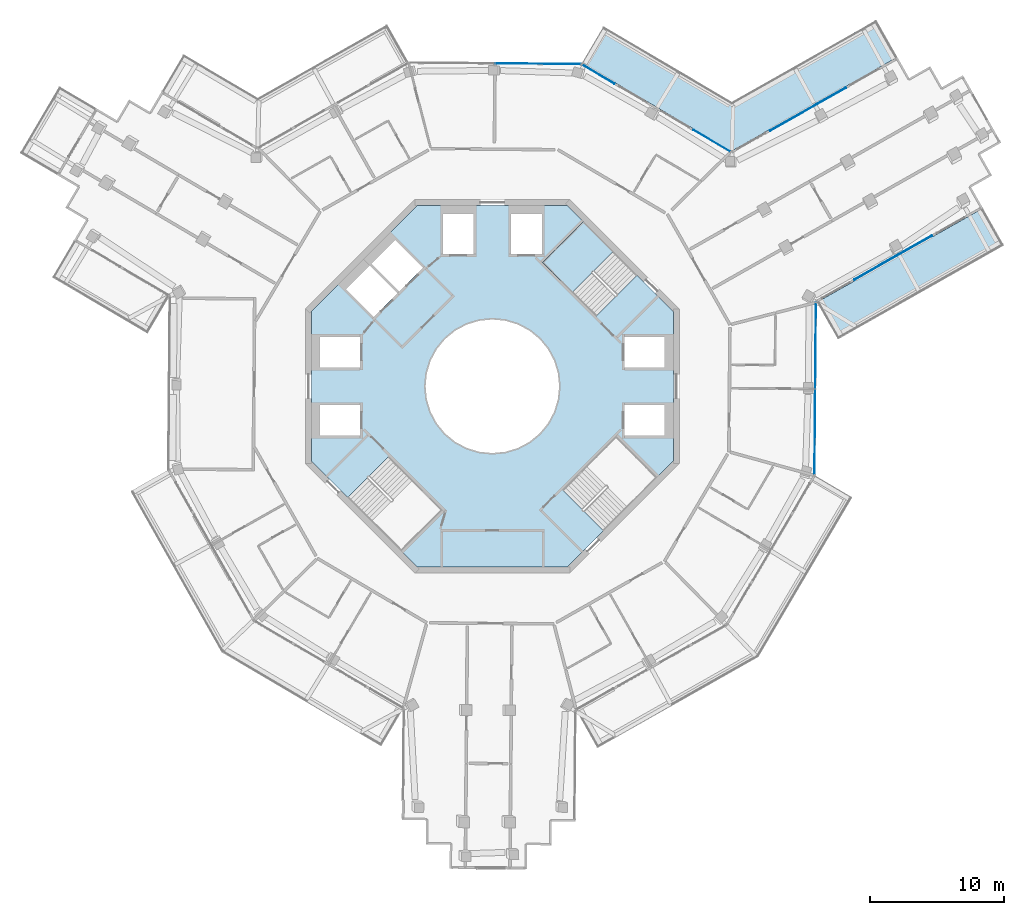
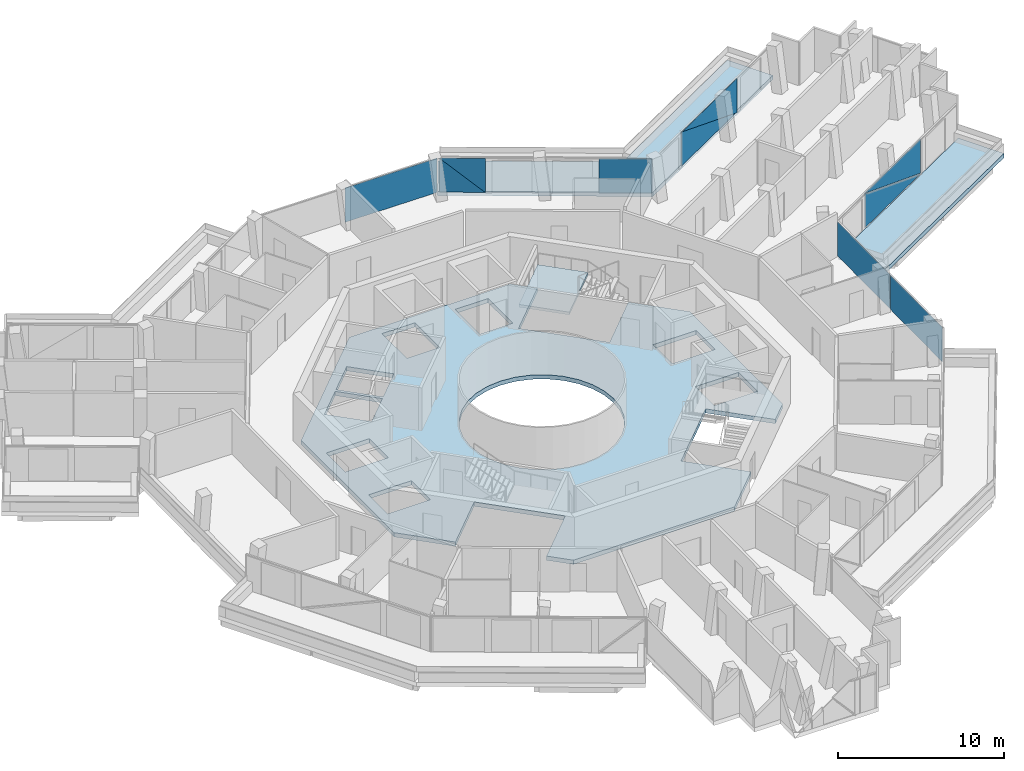
# One storey, part 14 of 24: 10 plates, 4 slabs, 6 elements without a shape of their own.
"""IFC4 building model written with IfcOpenShell, lengths in metres."""

from ifc_helpers import new_model, si_unit, direction, frame, origin, origin_2d, place, context, subcontext, project, spatial, polyline, rectangle, outline, extrude, material, layer, layer_set, type_object, element, aggregate, save


model = new_model("IFC4")

# Units and contexts
model_context = context("Model", 3, precision=1e-05, world=origin(), true_north=direction((0.0, 1.0)))
body_context = subcontext(model_context, "Body", "Model", "MODEL_VIEW")
ifc_project = project(units=[si_unit("LENGTHUNIT", "METRE"), si_unit("AREAUNIT", "SQUARE_METRE"), si_unit("VOLUMEUNIT", "CUBIC_METRE"), si_unit("PLANEANGLEUNIT", "RADIAN"), si_unit("MASSUNIT", "GRAM", prefix="KILO")], contexts=[model_context])

# Site, building, storey
site_placement = place(None, origin())
site = spatial("IfcSite", under=ifc_project, at=site_placement, CompositionType="ELEMENT")
building_placement = place(site_placement, origin())
building = spatial("IfcBuilding", under=site, at=building_placement, Name="Verdalira Terraces Hotel", CompositionType="ELEMENT")
storey_placement = place(building_placement, frame((0.0, 0.0, 277.5)))
storey = spatial("IfcBuildingStorey", under=building, at=storey_placement, Name="L68", CompositionType="ELEMENT", Elevation=277.5)

# Slabs
ifc_material_1 = material(Name="Precast concrete C40/50", Category="concrete")
ifc_layer_1 = layer(ifc_material_1, 0.31005859375)
ifc_layer_set_1 = layer_set([ifc_layer_1], Name="Balcony deck 310")
slab_type_1 = type_object("IfcSlabType", Name="Balcony deck 310", PredefinedType="FLOOR", material=ifc_layer_set_1)
slab_1_placement = place(storey_placement, frame((0.0, 0.0, -0.310059)))
element("IfcSlab", 1, at=slab_1_placement, inside=storey, type_object=slab_type_1, Name="Balcony deck", PredefinedType="FLOOR", context=body_context, shape_type="SweptSolid", body=[
    extrude(outline(polyline([(38.321777, 10.552002), (36.745117, 13.33667), (24.312012, 6.296631), (25.888672, 3.511963), (38.321777, 10.552002)])), origin(), (0.0, 0.0, 1.0), 0.310059),
])
slab_2_placement = place(storey_placement, frame((0.0, 0.0, -0.310059)))
element("IfcSlab", 2, at=slab_2_placement, inside=storey, type_object=slab_type_1, Name="Balcony deck", PredefinedType="FLOOR", context=body_context, shape_type="SweptSolid", body=[
    extrude(outline(polyline([(17.9375, 21.303955), (8.326172, 26.960693), (6.702881, 24.203125), (17.906494, 17.608887), (30.3396, 24.648926), (28.762939, 27.433594), (17.9375, 21.303955)])), origin(), (0.0, 0.0, 1.0), 0.310059),
])

# Curtain wall, plates
ifc_material_2 = material(Name="Clear glass", Category="glass")
ifc_layer_2 = layer(ifc_material_2, 0.14990234375)
ifc_layer_set_2 = layer_set([ifc_layer_2], Name="CW1 curtain wall")
curtain_wall_type_1 = type_object("IfcCurtainWallType", Name="CW1 curtain wall", PredefinedType="NOTDEFINED", material=ifc_layer_set_2)
curtain_wall_1_placement = place(storey_placement, origin())
curtain_wall_1 = element("IfcCurtainWall", 3, at=curtain_wall_1_placement, inside=storey, type_object=curtain_wall_type_1, Name="CW1 curtain wall L68 edge 27", PredefinedType="NOTDEFINED")
ifc_material_3 = material(Name="Clear glass", Category="glass")
ifc_layer_3 = layer(ifc_material_3, 0.028076171875)
ifc_layer_set_3 = layer_set([ifc_layer_3], Name="CW1 glass unit 28")
plate_type_1 = type_object("IfcPlateType", Name="CW1 glass unit 28", PredefinedType="CURTAIN_PANEL", material=ifc_layer_set_3)
plate_1_placement = place(storey_placement, frame((24.155518, -3.41748, 0.0), z_axis=(0.0, 0.0, 1.0), x_axis=(0.008377482, 0.999964908, 0.0)))
plate_1 = element("IfcPlate", 4, at=plate_1_placement, type_object=plate_type_1, Name="CW1 glass unit", PredefinedType="CURTAIN_PANEL", context=body_context, shape_type="SweptSolid", body=[
    extrude(rectangle(XDim=6.369873, YDim=0.028076, at=origin_2d()), origin(), (0.0, 0.0, 1.0), 2.524902),
])
plate_2_placement = place(storey_placement, frame((24.209473, 3.032227, 0.0), z_axis=(0.0, 0.0, 1.0), x_axis=(0.008377482, 0.999964908, 0.0)))
plate_2 = element("IfcPlate", 5, at=plate_2_placement, type_object=plate_type_1, Name="CW1 glass unit", PredefinedType="CURTAIN_PANEL", context=body_context, shape_type="SweptSolid", body=[
    extrude(rectangle(XDim=6.409912, YDim=0.028076, at=origin_2d()), origin(), (0.0, 0.0, 1.0), 2.524902),
])
aggregate(curtain_wall_1, [plate_1, plate_2])

curtain_wall_2_placement = place(storey_placement, origin())
curtain_wall_2 = element("IfcCurtainWall", 6, at=curtain_wall_2_placement, inside=storey, type_object=curtain_wall_type_1, Name="CW1 curtain wall L68 edge 39", PredefinedType="NOTDEFINED")
plate_3_placement = place(storey_placement, frame((16.442139, 18.383789, 0.0), z_axis=(0.0, 0.0, 1.0), x_axis=(-0.861806272, 0.507237567, 0.0)))
plate_3 = element("IfcPlate", 7, at=plate_3_placement, type_object=plate_type_1, Name="CW1 glass unit", PredefinedType="CURTAIN_PANEL", context=body_context, shape_type="SweptSolid", body=[
    extrude(rectangle(XDim=3.189941, YDim=0.028076, at=origin_2d()), origin(), (0.0, 0.0, 1.0), 2.524902),
])
plate_4_placement = place(storey_placement, frame((7.945801, 23.368164, 1.262451), z_axis=(0.507237567, 0.861806272, 0.0), x_axis=(-0.861806272, 0.507237567, 0.0)))
plate_4 = element("IfcPlate", 8, at=plate_4_placement, type_object=plate_type_1, Name="CW1 glass unit", PredefinedType="CURTAIN_PANEL", context=body_context, shape_type="SweptSolid", body=[
    extrude(outline(polyline([(-1.394287, -1.262451), (1.394287, -1.262451), (1.394287, 1.262451), (-1.394287, -1.262451)])), origin(), (0.0, 0.0, 1.0), 0.028076),
])
plate_5_placement = place(storey_placement, frame((7.930908, 23.343262, 1.262451), z_axis=(0.507237567, 0.861806272, 0.0), x_axis=(-0.861806272, 0.507237567, 0.0)))
plate_5 = element("IfcPlate", 9, at=plate_5_placement, type_object=plate_type_1, Name="CW1 glass unit", PredefinedType="CURTAIN_PANEL", context=body_context, shape_type="SweptSolid", body=[
    extrude(outline(polyline([(-1.394287, -1.262451), (1.394287, 1.262451), (-1.394287, 1.262451), (-1.394287, -1.262451)])), origin(), (0.0, 0.0, 1.0), 0.028076),
])
aggregate(curtain_wall_2, [plate_3, plate_4, plate_5])

# Curtain wall, plate
curtain_wall_3_placement = place(storey_placement, origin())
curtain_wall_3 = element("IfcCurtainWall", 10, at=curtain_wall_3_placement, inside=storey, type_object=curtain_wall_type_1, Name="CW1 curtain wall L68 edge 40", PredefinedType="NOTDEFINED")
plate_6_placement = place(storey_placement, frame((3.41748, 24.155518, 0.0), z_axis=(0.0, 0.0, 1.0), x_axis=(-0.999964908, 0.008377482, 0.0)))
plate_6 = element("IfcPlate", 11, at=plate_6_placement, type_object=plate_type_1, Name="CW1 glass unit", PredefinedType="CURTAIN_PANEL", context=body_context, shape_type="SweptSolid", body=[
    extrude(rectangle(XDim=6.369873, YDim=0.028076, at=origin_2d()), origin(), (0.0, 0.0, 1.0), 2.524902),
])
aggregate(curtain_wall_3, [plate_6])

# Curtain wall, plates
ifc_material_4 = material(Name="Clear glass", Category="glass")
ifc_layer_4 = layer(ifc_material_4, 0.14990234375)
ifc_layer_set_4 = layer_set([ifc_layer_4], Name="CW2 curtain wall")
curtain_wall_type_2 = type_object("IfcCurtainWallType", Name="CW2 curtain wall", PredefinedType="NOTDEFINED", material=ifc_layer_set_4)
curtain_wall_4_placement = place(storey_placement, origin())
curtain_wall_4 = element("IfcCurtainWall", 12, at=curtain_wall_4_placement, inside=storey, type_object=curtain_wall_type_2, Name="CW2 curtain wall L68 edge 28", PredefinedType="NOTDEFINED")
ifc_material_5 = material(Name="Clear glass", Category="glass")
ifc_layer_5 = layer(ifc_material_5, 0.031982421875)
ifc_layer_set_5 = layer_set([ifc_layer_5], Name="CW2 glass unit 32")
plate_type_2 = type_object("IfcPlateType", Name="CW2 glass unit 32", PredefinedType="CURTAIN_PANEL", material=ifc_layer_set_5)
plate_7_placement = place(storey_placement, frame((30.018311, 9.63208, 1.262451), z_axis=(0.492727342, -0.870183755, 0.0), x_axis=(0.870183755, 0.492727342, 0.0)))
plate_7 = element("IfcPlate", 13, at=plate_7_placement, type_object=plate_type_2, Name="CW2 glass unit", PredefinedType="CURTAIN_PANEL", context=body_context, shape_type="SweptSolid", body=[
    extrude(outline(polyline([(-3.338867, -1.262451), (3.338867, -1.262451), (-3.338867, 1.262451), (-3.338867, -1.262451)])), origin(), (0.0, 0.0, 1.0), 0.031982),
])
plate_8_placement = place(storey_placement, frame((30.001953, 9.660645, 1.262451), z_axis=(0.492727342, -0.870183755, 0.0), x_axis=(0.870183755, 0.492727342, 0.0)))
plate_8 = element("IfcPlate", 14, at=plate_8_placement, type_object=plate_type_2, Name="CW2 glass unit", PredefinedType="CURTAIN_PANEL", context=body_context, shape_type="SweptSolid", body=[
    extrude(outline(polyline([(3.338867, -1.262451), (3.338867, 1.262451), (-3.338867, 1.262451), (3.338867, -1.262451)])), origin(), (0.0, 0.0, 1.0), 0.031982),
])
aggregate(curtain_wall_4, [plate_7, plate_8])

curtain_wall_5_placement = place(storey_placement, origin())
curtain_wall_5 = element("IfcCurtainWall", 15, at=curtain_wall_5_placement, inside=storey, type_object=curtain_wall_type_2, Name="CW2 curtain wall L68 edge 38", PredefinedType="NOTDEFINED")
plate_9_placement = place(storey_placement, frame((23.641357, 20.751709, 1.262451), z_axis=(-0.492727342, 0.870183755, 0.0), x_axis=(-0.870183755, -0.492727342, 0.0)))
plate_9 = element("IfcPlate", 16, at=plate_9_placement, type_object=plate_type_2, Name="CW2 glass unit", PredefinedType="CURTAIN_PANEL", context=body_context, shape_type="SweptSolid", body=[
    extrude(outline(polyline([(-3.269043, -1.262451), (3.269043, -1.262451), (3.269043, 1.262451), (-3.269043, -1.262451)])), origin(), (0.0, 0.0, 1.0), 0.031982),
])
plate_10_placement = place(storey_placement, frame((23.657715, 20.723145, 1.262451), z_axis=(-0.492727342, 0.870183755, 0.0), x_axis=(-0.870183755, -0.492727342, 0.0)))
plate_10 = element("IfcPlate", 17, at=plate_10_placement, type_object=plate_type_2, Name="CW2 glass unit", PredefinedType="CURTAIN_PANEL", context=body_context, shape_type="SweptSolid", body=[
    extrude(outline(polyline([(-3.269043, -1.262451), (3.269043, 1.262451), (-3.269043, 1.262451), (-3.269043, -1.262451)])), origin(), (0.0, 0.0, 1.0), 0.031982),
])
aggregate(curtain_wall_5, [plate_9, plate_10])

# Slab
ifc_material_6 = material(Name="Concrete C40", Category="concrete")
ifc_layer_6 = layer(ifc_material_6, 0.31005859375)
ifc_layer_set_6 = layer_set([ifc_layer_6], Name="Core floor slab 310 mm")
slab_type_2 = type_object("IfcSlabType", Name="Core floor slab 310 mm", PredefinedType="FLOOR", material=ifc_layer_set_6)
slab_3_placement = place(storey_placement, frame((0.0, 0.0, -0.310059)))
element("IfcSlab", 18, at=slab_3_placement, inside=storey, type_object=slab_type_2, Name="L68 core floor", PredefinedType="FLOOR", context=body_context, shape_type="SweptSolid", body=[
    extrude(outline(polyline([(-6.809326, -12.353271), (-3.719482, -9.263184), (-7.746094, -5.236572), (-10.836182, -8.326416), (-13.550049, -5.612549), (-13.550049, 5.612549), (-5.612549, 13.550049), (5.612549, 13.550049), (6.809326, 12.353271), (3.719482, 9.263184), (7.746094, 5.236572), (10.836182, 8.326416), (13.550049, 5.612549), (13.550049, -5.612549), (12.353271, -6.809326), (9.263184, -3.719482), (5.236572, -7.746094), (8.326416, -10.836182), (5.612549, -13.550049), (-5.612549, -13.550049), (-6.809326, -12.353271)]), holes=[polyline([(9.899902, -1.399902), (9.899902, -3.699951), (12.899902, -3.699951), (12.899902, -1.399902), (9.899902, -1.399902)]), polyline([(9.899902, 3.699951), (9.899902, 1.399902), (12.899902, 1.399902), (12.899902, 3.699951), (9.899902, 3.699951)]), polyline([(3.699951, 12.899902), (1.399902, 12.899902), (1.399902, 9.899902), (3.699951, 9.899902), (3.699951, 12.899902)]), polyline([(-1.399902, 12.899902), (-3.699951, 12.899902), (-3.699951, 9.899902), (-1.399902, 9.899902), (-1.399902, 12.899902)]), polyline([(-9.899902, 1.399902), (-9.899902, 3.699951), (-12.899902, 3.699951), (-12.899902, 1.399902), (-9.899902, 1.399902)]), polyline([(-9.899902, -3.699951), (-9.899902, -1.399902), (-12.899902, -1.399902), (-12.899902, -3.699951), (-9.899902, -3.699951)]), polyline([(-9.051025, 9.192383), (-6.965088, 7.106445), (-5.197266, 8.874268), (-7.283203, 10.960205), (-9.051025, 9.192383)]), polyline([(-9.192383, 9.051025), (-10.960205, 7.283203), (-8.874268, 5.197266), (-7.106445, 6.965088), (-9.192383, 9.051025)]), polyline([(3.5354, 3.5354), (2.777832, 4.157227), (1.91333, 4.619385), (0.975586, 4.903809), (0.0, 5.0), (-0.975586, 4.903809), (-1.91333, 4.619385), (-2.777832, 4.157227), (-3.5354, 3.5354), (-4.157227, 2.777832), (-4.619385, 1.91333), (-4.903809, 0.975586), (-5.0, 0.0), (-4.903809, -0.975586), (-4.619385, -1.91333), (-4.157227, -2.777832), (-3.5354, -3.5354), (-2.777832, -4.157227), (-1.91333, -4.619385), (-0.975586, -4.903809), (0.0, -5.0), (0.975586, -4.903809), (1.91333, -4.619385), (2.777832, -4.157227), (3.5354, -3.5354), (4.157227, -2.777832), (4.619385, -1.91333), (4.903809, -0.975586), (5.0, 0.0), (4.903809, 0.975586), (4.619385, 1.91333), (4.157227, 2.777832), (3.5354, 3.5354)])]), origin(), (0.0, 0.0, 1.0), 0.310059),
])

# Stair, slab
ifc_material_7 = material(Name="Concrete C40", Category="concrete")
stair_type = type_object("IfcStairType", Name="Core stair 20 risers 2125 mm wide", PredefinedType="HALF_TURN_STAIR", material=ifc_material_7)
stair_placement = place(storey_placement, origin())
stair = element("IfcStair", 19, at=stair_placement, inside=storey, type_object=stair_type, Name="L68 Exit stair ST1", PredefinedType="HALF_TURN_STAIR")
ifc_material_8 = material(Name="Concrete C40", Category="concrete")
ifc_layer_7 = layer(ifc_material_8, 0.199951171875)
ifc_layer_set_7 = layer_set([ifc_layer_7], Name="Core stair landing 200 mm")
slab_type_3 = type_object("IfcSlabType", Name="Core stair landing 200 mm", PredefinedType="LANDING", material=ifc_layer_set_7)
slab_4_placement = place(storey_placement, frame((0.0, 0.0, 1.550049)))
slab_4 = element("IfcSlab", 20, at=slab_4_placement, type_object=slab_type_3, Name="ST1 landing 1", PredefinedType="LANDING", context=body_context, shape_type="SweptSolid", body=[
    extrude(outline(polyline([(9.054932, 10.107666), (6.823486, 12.339111), (3.747559, 9.263184), (5.979004, 7.031738), (9.054932, 10.107666)])), origin(), (0.0, 0.0, 1.0), 0.199951),
])
aggregate(stair, [slab_4])

save(model, "model.ifc")
